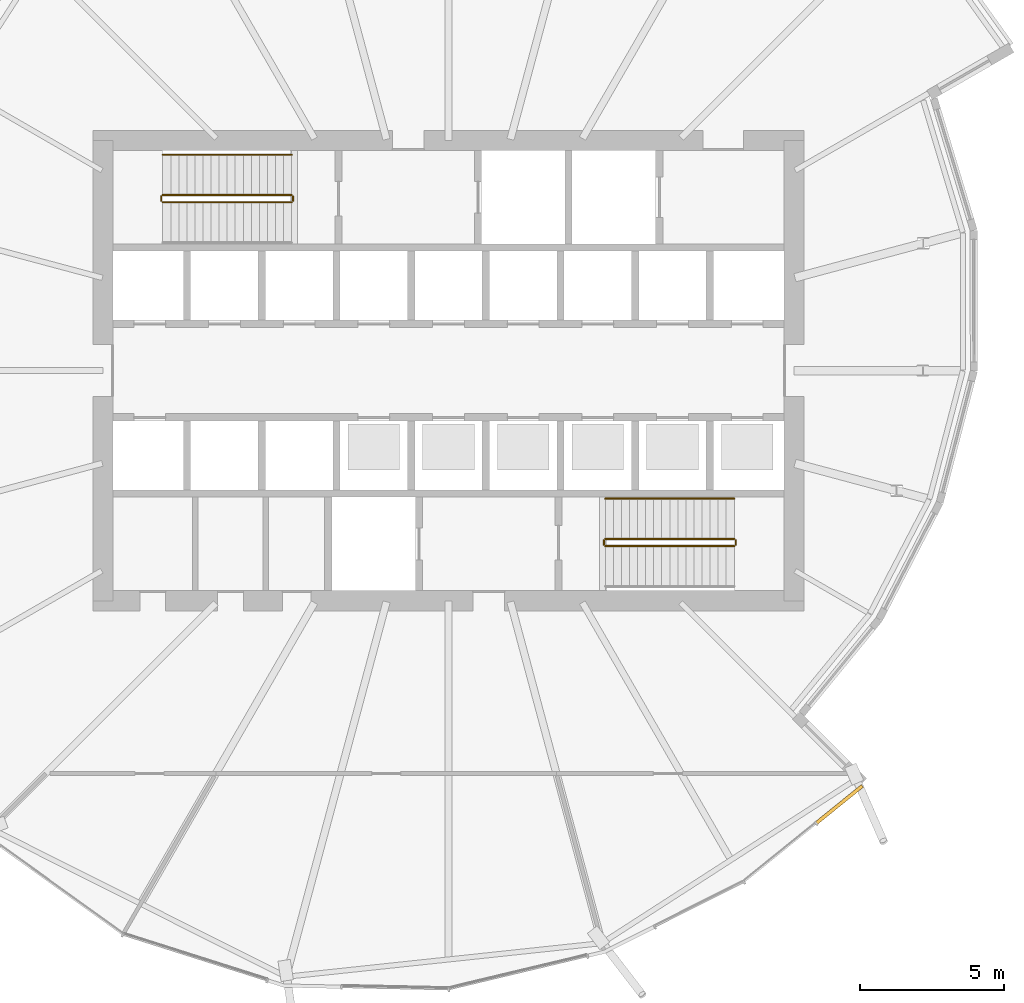
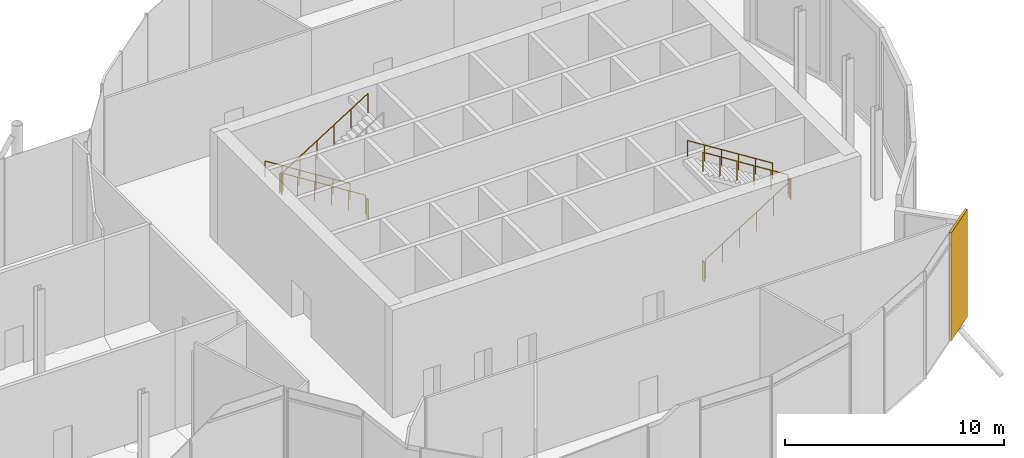
# One storey, part 36 of 38: 10 railings, 1 covering.
"""IFC4 building model written with IfcOpenShell, lengths in metres."""

import ifcopenshell
import ifcopenshell.guid

model = None  # the IFC model being written
_history = None  # IfcOwnerHistory: only IFC2X3 demands one
_inside = {}  # id of a spatial element -> (the spatial element, [elements in it])
_under = {}  # id of a project, library or spatial element -> (it, [spatial elements below it])
_declared = {}  # id of a project -> (the project, [libraries it declares])
_typed = {}  # id of a type object -> (the type object, [elements of that type])
_made_of = {}  # id of a material, layer set ... -> (it, [elements and type objects made of it])


def new_model(schema):
    """Start an empty IFC model of exactly this schema.

    Asked for "IFC4X3", IfcOpenShell would pick the latest addendum, in which some entities
    have other attributes; the version numbers below select the first issue.
    IFC2X3 requires an IfcOwnerHistory on every rooted entity: one is made here for all.
    """
    global model, _history
    if schema == "IFC4X3":
        model = ifcopenshell.file(schema_version=(4, 3, 0, 0))
    else:
        model = ifcopenshell.file(schema=schema)
    _inside.clear()
    _under.clear()
    _declared.clear()
    _typed.clear()
    _made_of.clear()
    _history = None
    if model.schema == "IFC2X3":
        org = make("IfcOrganization", Name="unknown")
        user = make(
            "IfcPersonAndOrganization",
            ThePerson=make("IfcPerson", FamilyName="unknown"),
            TheOrganization=org,
        )
        app = make(
            "IfcApplication",
            ApplicationDeveloper=org,
            Version="unknown",
            ApplicationFullName="unknown",
            ApplicationIdentifier="unknown",
        )
        _history = make(
            "IfcOwnerHistory",
            OwningUser=user,
            OwningApplication=app,
            ChangeAction="ADDED",
            CreationDate=0,
        )
    return model


def make(cls, **values):
    """One entity of the class cls with the attributes given. An attribute that is None is left unset."""
    return model.create_entity(
        cls, **{name: value for name, value in values.items() if value is not None}
    )


def rooted(cls, **values):
    """An entity with a GlobalId (a new one), such as an element, a storey or a relation."""
    return make(cls, GlobalId=ifcopenshell.guid.new(), OwnerHistory=_history, **values)


def si_unit(unit_type, name, prefix=None):
    """IfcSIUnit, for example si_unit("LENGTHUNIT", "METRE", prefix="MILLI")."""
    return make("IfcSIUnit", UnitType=unit_type, Prefix=prefix, Name=name)


def assignment(units):
    """IfcUnitAssignment: the units of a project."""
    return None if units is None else make("IfcUnitAssignment", Units=units)


def point(xyz):
    """IfcCartesianPoint."""
    return None if xyz is None else make("IfcCartesianPoint", Coordinates=xyz)


def direction(xyz):
    """IfcDirection."""
    return None if xyz is None else make("IfcDirection", DirectionRatios=xyz)


def frame(location, z_axis=None, x_axis=None):
    """IfcAxis2Placement3D, a coordinate frame: its origin and axes. An axis left out is left unset."""
    return make(
        "IfcAxis2Placement3D",
        Location=point(location),
        Axis=direction(z_axis),
        RefDirection=direction(x_axis),
    )


def frame_2d(location, x_axis=None):
    """IfcAxis2Placement2D, a coordinate frame in the plane: its origin and x axis."""
    return make(
        "IfcAxis2Placement2D", Location=point(location), RefDirection=direction(x_axis)
    )


def origin():
    """The frame at (0, 0, 0) with its axes left unset."""
    return frame((0.0, 0.0, 0.0))


def origin_2d():
    """The frame at (0, 0) in the plane with its x axis left unset."""
    return frame_2d((0.0, 0.0))


def place(relative_to, where):
    """IfcLocalPlacement: puts the frame where relative to a parent placement (None: the world)."""
    return make(
        "IfcLocalPlacement", PlacementRelTo=relative_to, RelativePlacement=where
    )


def context(
    kind, dimensions, precision=None, world=None, true_north=None, identifier=None
):
    """IfcGeometricRepresentationContext, for example the 3D "Model" context."""
    return make(
        "IfcGeometricRepresentationContext",
        ContextIdentifier=identifier,
        ContextType=kind,
        CoordinateSpaceDimension=dimensions,
        Precision=precision,
        WorldCoordinateSystem=world,
        TrueNorth=true_north,
    )


def subcontext(parent, identifier, kind, view, scale=None):
    """IfcGeometricRepresentationSubContext, for example "Body" below "Model"."""
    return make(
        "IfcGeometricRepresentationSubContext",
        ContextIdentifier=identifier,
        ContextType=kind,
        ParentContext=parent,
        TargetScale=scale,
        TargetView=view,
    )


def project(units=None, contexts=None):
    """IfcProject with its units and contexts."""
    return rooted(
        "IfcProject",
        Name="project",
        RepresentationContexts=contexts,
        UnitsInContext=assignment(units),
    )


def spatial(cls, under=None, at=None, **own):
    """A site, building, storey or space (cls), placed at a placement, below another one or the project."""
    s = rooted(cls, ObjectPlacement=at, **own)
    if under is not None:
        _under.setdefault(under.id(), (under, []))[1].append(s)
    return s


def polyline(points):
    """IfcPolyline through the points."""
    return make("IfcPolyline", Points=[point(p) for p in points])


def profile(cls, at=None, kind="AREA", **sizes):
    """A parametric profile (cls). Its sizes go by their IFC names, for example OverallWidth=200.0."""
    return make(cls, ProfileType=kind, Position=at, **sizes)


def circle(**sizes):
    """IfcCircleProfileDef."""
    return profile("IfcCircleProfileDef", **sizes)


def outline(outer, holes=None, kind="AREA"):
    """IfcArbitraryClosedProfileDef: a profile drawn as a closed curve; with holes, ...WithVoids."""
    if holes is None:
        return make("IfcArbitraryClosedProfileDef", ProfileType=kind, OuterCurve=outer)
    return make(
        "IfcArbitraryProfileDefWithVoids",
        ProfileType=kind,
        OuterCurve=outer,
        InnerCurves=holes,
    )


def extrude(swept, where, along, depth):
    """IfcExtrudedAreaSolid: the profile swept, set in the frame where, extruded along a direction by depth."""
    return make(
        "IfcExtrudedAreaSolid",
        SweptArea=swept,
        Position=where,
        ExtrudedDirection=direction(along),
        Depth=depth,
    )


def shape(context_of_items, identifier, shape_type, items):
    """IfcShapeRepresentation: the items that make up one representation, for example the "Body"."""
    return make(
        "IfcShapeRepresentation",
        ContextOfItems=context_of_items,
        RepresentationIdentifier=identifier,
        RepresentationType=shape_type,
        Items=items,
    )


def material(Name=None, Category=None):
    """IfcMaterial."""
    return make("IfcMaterial", Name=Name, Category=Category)


def layer(
    of_material, thickness, ventilated=None, Name=None, Category=None, Priority=None
):
    """IfcMaterialLayer: one layer of a wall or slab, of a material (None: an air gap)."""
    return make(
        "IfcMaterialLayer",
        Material=of_material,
        LayerThickness=thickness,
        IsVentilated=ventilated,
        Name=Name,
        Category=Category,
        Priority=Priority,
    )


def layer_set(layers, Name=None):
    """IfcMaterialLayerSet."""
    return make("IfcMaterialLayerSet", MaterialLayers=layers, LayerSetName=Name)


def made_of(thing, what):
    """Note that an element or type object is made of a material, layer set ...; save() writes the relation."""
    if what is not None:
        _made_of.setdefault(what.id(), (what, []))[1].append(thing)
    return thing


def type_object(cls, material=None, **own):
    """A type object (cls), such as IfcWallType, which elements share."""
    return made_of(rooted(cls, **own), material)


def element(
    cls,
    number,
    at=None,
    inside=None,
    cuts=None,
    type_object=None,
    material=None,
    context=None,
    identifier="Body",
    shape_type=None,
    held_by="IfcProductDefinitionShape",
    body=None,
    shapes=None,
    **own,
):
    """One element of the class cls, such as IfcWall. Its Tag is "e" and its number.

    at: its placement. inside: the storey or other place that contains it. cuts: it is an
    opening in that element (IfcRelVoidsElement). A single representation is given by context,
    identifier, shape_type and body (its items); several are given by shapes. held_by: the class
    of the entity that holds the representations. save() writes the other relations.
    """
    e = rooted(cls, Tag="e%d" % number, ObjectPlacement=at, **own)
    if body is not None:
        shapes = [shape(context, identifier, shape_type, body)]
    if shapes is not None:
        e.Representation = make(held_by, Representations=shapes)
    if inside is not None:
        _inside.setdefault(inside.id(), (inside, []))[1].append(e)
    if cuts is not None:
        rooted(
            "IfcRelVoidsElement", RelatingBuildingElement=cuts, RelatedOpeningElement=e
        )
    if type_object is not None:
        _typed.setdefault(type_object.id(), (type_object, []))[1].append(e)
    return made_of(e, material)


def aggregate(whole, parts):
    """IfcRelAggregates: a whole, such as a stair, and the parts it consists of."""
    return rooted("IfcRelAggregates", RelatingObject=whole, RelatedObjects=parts)


def save(model, path):
    """Write the relations noted so far, then the file.

    IfcRelAggregates (storeys below a building ...), IfcRelContainedInSpatialStructure (elements
    in a storey), IfcRelDefinesByType, IfcRelAssociatesMaterial and IfcRelDeclares: one each for
    every whole, place, type object, material and project.
    """
    for whole, parts in _under.values():
        aggregate(whole, parts)
    for where, things in _inside.values():
        rooted(
            "IfcRelContainedInSpatialStructure",
            RelatedElements=things,
            RelatingStructure=where,
        )
    for kind, things in _typed.values():
        rooted("IfcRelDefinesByType", RelatedObjects=things, RelatingType=kind)
    for what, things in _made_of.values():
        rooted("IfcRelAssociatesMaterial", RelatedObjects=things, RelatingMaterial=what)
    for by, libraries in _declared.values():
        rooted("IfcRelDeclares", RelatingContext=by, RelatedDefinitions=libraries)
    model.write(path)


model = new_model("IFC4")

# Units and contexts
model_context = context("Model", 3, precision=1e-05, world=origin(), true_north=direction((0.0, 1.0)))
body_context = subcontext(model_context, "Body", "Model", "MODEL_VIEW")
ifc_project = project(units=[si_unit("LENGTHUNIT", "METRE"), si_unit("AREAUNIT", "SQUARE_METRE"), si_unit("VOLUMEUNIT", "CUBIC_METRE"), si_unit("PLANEANGLEUNIT", "RADIAN"), si_unit("MASSUNIT", "GRAM", prefix="KILO")], contexts=[model_context])

# Site, building, storey
site_placement = place(None, origin())
site = spatial("IfcSite", under=ifc_project, at=site_placement, CompositionType="ELEMENT")
building_placement = place(site_placement, origin())
building = spatial("IfcBuilding", under=site, at=building_placement, Name="Rimbun Link Towers", CompositionType="ELEMENT")
storey_placement = place(building_placement, frame((0.0, 0.0, 133.199951171875)))
storey = spatial("IfcBuildingStorey", under=building, at=storey_placement, Name="L32", CompositionType="ELEMENT", Elevation=133.199951171875)

# Covering
ifc_material_1 = material(Name="Terracotta", Category="masonry")
ifc_layer = layer(ifc_material_1, 0.1201171875)
ifc_layer_set = layer_set([ifc_layer], Name="LINK PIER terracotta cladding 120")
covering_type = type_object("IfcCoveringType", Name="LINK PIER terracotta cladding 120", PredefinedType="CLADDING", material=ifc_layer_set)
covering_placement = place(storey_placement, origin())
element("IfcCovering", 1, at=covering_placement, inside=storey, type_object=covering_type, Name="LINK PIER cladding", PredefinedType="CLADDING", context=body_context, shape_type="SweptSolid", body=[
    extrude(outline(polyline([(46.092041015625, -14.38427734375), (44.50634765625, -15.667724609375), (44.581787109375, -15.760986328125), (46.16748046875, -14.4775390625), (46.092041015625, -14.38427734375)])), origin(), (0.0, 0.0, 1.0), 6.0),
])

# Railings
ifc_material_2 = material(Name="Stainless steel grade 316", Category="steel")
railing_type_1 = type_object("IfcRailingType", Name="Stair guard", PredefinedType="GUARDRAIL", material=ifc_material_2)
railing_1_placement = place(storey_placement, frame((26.300048828125, 6.10009765625, 0.176513671875)))
element("IfcRailing", 2, at=railing_1_placement, inside=storey, type_object=railing_type_1, Name="L32 ST3 stair guard 1", PredefinedType="GUARDRAIL", context=body_context, shape_type="SweptSolid", body=[
    extrude(circle(Radius=0.02392578125, at=origin_2d()), frame((0.0, 0.0, 1.076171875), z_axis=(-0.845997938375, 0.0, 0.533186166611), x_axis=(0.0, -1.0, 0.0)), (0.0, 0.0, 1.0), 5.29541015625),
    extrude(circle(Radius=0.02099609375, at=origin_2d()), origin(), (0.0, 0.0, 1.0), 1.052001953125),
    extrude(circle(Radius=0.02099609375, at=origin_2d()), frame((-0.89599609375, 0.0, 0.564697265625)), (0.0, 0.0, 1.0), 1.052001953125),
    extrude(circle(Radius=0.02099609375, at=origin_2d()), frame((-1.7919921875, 0.0, 1.12939453125)), (0.0, 0.0, 1.0), 1.052001953125),
    extrude(circle(Radius=0.02099609375, at=origin_2d()), frame((-2.68798828125, 0.0, 1.694091796875)), (0.0, 0.0, 1.0), 1.052001953125),
    extrude(circle(Radius=0.02099609375, at=origin_2d()), frame((-3.583984375, 0.0, 2.2587890625)), (0.0, 0.0, 1.0), 1.052001953125),
    extrude(circle(Radius=0.02099609375, at=origin_2d()), frame((-4.47998046875, 0.0, 2.823486328125)), (0.0, 0.0, 1.0), 1.052001953125),
])
railing_2_placement = place(storey_placement, frame((21.77001953125, 6.050048828125, 3.0)))
element("IfcRailing", 3, at=railing_2_placement, inside=storey, type_object=railing_type_1, Name="L32 ST3 stair guard 2", PredefinedType="GUARDRAIL", context=body_context, shape_type="SweptSolid", body=[
    extrude(circle(Radius=0.02392578125, at=origin_2d()), frame((0.0, 0.0, 1.076171875), z_axis=(0.0, -1.0, 0.0), x_axis=(1.0, 0.0, 0.0)), (0.0, 0.0, 1.0), 0.150146484375),
    extrude(circle(Radius=0.02099609375, at=origin_2d()), origin(), (0.0, 0.0, 1.0), 1.052001953125),
    extrude(circle(Radius=0.02099609375, at=origin_2d()), frame((0.0, -0.150146484375, 0.0)), (0.0, 0.0, 1.0), 1.052001953125),
])
railing_3_placement = place(storey_placement, frame((21.820068359375, 5.85009765625, 3.176513671875)))
element("IfcRailing", 4, at=railing_3_placement, inside=storey, type_object=railing_type_1, Name="L32 ST3 stair guard 3", PredefinedType="GUARDRAIL", context=body_context, shape_type="SweptSolid", body=[
    extrude(circle(Radius=0.02392578125, at=origin_2d()), frame((0.0, 0.0, 1.076171875), z_axis=(0.845997938375, 0.0, 0.533186166611), x_axis=(0.0, 1.0, 0.0)), (0.0, 0.0, 1.0), 5.29541015625),
    extrude(circle(Radius=0.02099609375, at=origin_2d()), origin(), (0.0, 0.0, 1.0), 1.052001953125),
    extrude(circle(Radius=0.02099609375, at=origin_2d()), frame((0.89599609375, 0.0, 0.564697265625)), (0.0, 0.0, 1.0), 1.052001953125),
    extrude(circle(Radius=0.02099609375, at=origin_2d()), frame((1.7919921875, 0.0, 1.12939453125)), (0.0, 0.0, 1.0), 1.052001953125),
    extrude(circle(Radius=0.02099609375, at=origin_2d()), frame((2.68798828125, 0.0, 1.694091796875)), (0.0, 0.0, 1.0), 1.052001953125),
    extrude(circle(Radius=0.02099609375, at=origin_2d()), frame((3.583984375, 0.0, 2.2587890625)), (0.0, 0.0, 1.0), 1.052001953125),
    extrude(circle(Radius=0.02099609375, at=origin_2d()), frame((4.47998046875, 0.0, 2.823486328125)), (0.0, 0.0, 1.0), 1.052001953125),
])
railing_4_placement = place(storey_placement, frame((26.35009765625, 6.050048828125, 0.0)))
element("IfcRailing", 5, at=railing_4_placement, inside=storey, type_object=railing_type_1, Name="L32 ST3 stair guard 4", PredefinedType="GUARDRAIL", context=body_context, shape_type="SweptSolid", body=[
    extrude(circle(Radius=0.02392578125, at=origin_2d()), frame((0.0, 0.0, 1.076171875), z_axis=(0.0, -1.0, 0.0), x_axis=(1.0, 0.0, 0.0)), (0.0, 0.0, 1.0), 0.150146484375),
    extrude(circle(Radius=0.02099609375, at=origin_2d()), origin(), (0.0, 0.0, 1.0), 1.052001953125),
    extrude(circle(Radius=0.02099609375, at=origin_2d()), frame((0.0, -0.150146484375, 0.0)), (0.0, 0.0, 1.0), 1.052001953125),
])
railing_5_placement = place(storey_placement, frame((37.199951171875, -6.10009765625, 0.176513671875)))
element("IfcRailing", 6, at=railing_5_placement, inside=storey, type_object=railing_type_1, Name="L32 ST4 stair guard 1", PredefinedType="GUARDRAIL", context=body_context, shape_type="SweptSolid", body=[
    extrude(circle(Radius=0.02392578125, at=origin_2d()), frame((0.0, 0.0, 1.076171875), z_axis=(0.845997938375, 0.0, 0.533186166611), x_axis=(0.0, 1.0, 0.0)), (0.0, 0.0, 1.0), 5.29541015625),
    extrude(circle(Radius=0.02099609375, at=origin_2d()), origin(), (0.0, 0.0, 1.0), 1.052001953125),
    extrude(circle(Radius=0.02099609375, at=origin_2d()), frame((0.89599609375, 0.0, 0.564697265625)), (0.0, 0.0, 1.0), 1.052001953125),
    extrude(circle(Radius=0.02099609375, at=origin_2d()), frame((1.7919921875, 0.0, 1.12939453125)), (0.0, 0.0, 1.0), 1.052001953125),
    extrude(circle(Radius=0.02099609375, at=origin_2d()), frame((2.68798828125, 0.0, 1.694091796875)), (0.0, 0.0, 1.0), 1.052001953125),
    extrude(circle(Radius=0.02099609375, at=origin_2d()), frame((3.583984375, 0.0, 2.2587890625)), (0.0, 0.0, 1.0), 1.052001953125),
    extrude(circle(Radius=0.02099609375, at=origin_2d()), frame((4.47998046875, 0.0, 2.823486328125)), (0.0, 0.0, 1.0), 1.052001953125),
])
railing_6_placement = place(storey_placement, frame((41.72998046875, -6.050048828125, 3.0)))
element("IfcRailing", 7, at=railing_6_placement, inside=storey, type_object=railing_type_1, Name="L32 ST4 stair guard 2", PredefinedType="GUARDRAIL", context=body_context, shape_type="SweptSolid", body=[
    extrude(circle(Radius=0.02392578125, at=origin_2d()), frame((0.0, 0.0, 1.076171875), z_axis=(0.0, 1.0, 0.0), x_axis=(-1.0, 0.0, 0.0)), (0.0, 0.0, 1.0), 0.150146484375),
    extrude(circle(Radius=0.02099609375, at=origin_2d()), origin(), (0.0, 0.0, 1.0), 1.052001953125),
    extrude(circle(Radius=0.02099609375, at=origin_2d()), frame((0.0, 0.150146484375, 0.0)), (0.0, 0.0, 1.0), 1.052001953125),
])
railing_7_placement = place(storey_placement, frame((41.679931640625, -5.85009765625, 3.176513671875)))
element("IfcRailing", 8, at=railing_7_placement, inside=storey, type_object=railing_type_1, Name="L32 ST4 stair guard 3", PredefinedType="GUARDRAIL", context=body_context, shape_type="SweptSolid", body=[
    extrude(circle(Radius=0.02392578125, at=origin_2d()), frame((0.0, 0.0, 1.076171875), z_axis=(-0.845997938375, 0.0, 0.533186166611), x_axis=(0.0, -1.0, 0.0)), (0.0, 0.0, 1.0), 5.29541015625),
    extrude(circle(Radius=0.02099609375, at=origin_2d()), origin(), (0.0, 0.0, 1.0), 1.052001953125),
    extrude(circle(Radius=0.02099609375, at=origin_2d()), frame((-0.89599609375, 0.0, 0.564697265625)), (0.0, 0.0, 1.0), 1.052001953125),
    extrude(circle(Radius=0.02099609375, at=origin_2d()), frame((-1.7919921875, 0.0, 1.12939453125)), (0.0, 0.0, 1.0), 1.052001953125),
    extrude(circle(Radius=0.02099609375, at=origin_2d()), frame((-2.68798828125, 0.0, 1.694091796875)), (0.0, 0.0, 1.0), 1.052001953125),
    extrude(circle(Radius=0.02099609375, at=origin_2d()), frame((-3.583984375, 0.0, 2.2587890625)), (0.0, 0.0, 1.0), 1.052001953125),
    extrude(circle(Radius=0.02099609375, at=origin_2d()), frame((-4.47998046875, 0.0, 2.823486328125)), (0.0, 0.0, 1.0), 1.052001953125),
])
railing_8_placement = place(storey_placement, frame((37.14990234375, -6.050048828125, 0.0)))
element("IfcRailing", 9, at=railing_8_placement, inside=storey, type_object=railing_type_1, Name="L32 ST4 stair guard 4", PredefinedType="GUARDRAIL", context=body_context, shape_type="SweptSolid", body=[
    extrude(circle(Radius=0.02392578125, at=origin_2d()), frame((0.0, 0.0, 1.076171875), z_axis=(0.0, 1.0, 0.0), x_axis=(-1.0, 0.0, 0.0)), (0.0, 0.0, 1.0), 0.150146484375),
    extrude(circle(Radius=0.02099609375, at=origin_2d()), origin(), (0.0, 0.0, 1.0), 1.052001953125),
    extrude(circle(Radius=0.02099609375, at=origin_2d()), frame((0.0, 0.150146484375, 0.0)), (0.0, 0.0, 1.0), 1.052001953125),
])
ifc_material_3 = material(Name="Stainless steel grade 316", Category="steel")
railing_type_2 = type_object("IfcRailingType", Name="Stair handrail", PredefinedType="HANDRAIL", material=ifc_material_3)
for number, where, name in (
    (10, (26.300048828125, 7.5, 0.176513671875), "L32 ST3 stair handrail 1"),
    (11, (41.679931640625, -4.449951171875, 3.176513671875), "L32 ST4 stair handrail 2"),
):
    element("IfcRailing", number, at=place(storey_placement, frame(where)), inside=storey, type_object=railing_type_2, Name=name, PredefinedType="HANDRAIL", context=body_context, shape_type="SweptSolid", body=[
        extrude(circle(Radius=0.02392578125, at=origin_2d()), frame((0.0, 0.0, 0.8759765625), z_axis=(-0.845997938375, 0.0, 0.533186166611), x_axis=(0.0, -1.0, 0.0)), (0.0, 0.0, 1.0), 5.29541015625),
        extrude(circle(Radius=0.02099609375, at=origin_2d()), origin(), (0.0, 0.0, 1.0), 0.851806640625),
        extrude(circle(Radius=0.02099609375, at=origin_2d()), frame((-0.89599609375, 0.0, 0.564697265625)), (0.0, 0.0, 1.0), 0.851806640625),
        extrude(circle(Radius=0.02099609375, at=origin_2d()), frame((-1.7919921875, 0.0, 1.12939453125)), (0.0, 0.0, 1.0), 0.851806640625),
        extrude(circle(Radius=0.02099609375, at=origin_2d()), frame((-2.68798828125, 0.0, 1.694091796875)), (0.0, 0.0, 1.0), 0.851806640625),
        extrude(circle(Radius=0.02099609375, at=origin_2d()), frame((-3.583984375, 0.0, 2.2587890625)), (0.0, 0.0, 1.0), 0.851806640625),
        extrude(circle(Radius=0.02099609375, at=origin_2d()), frame((-4.47998046875, 0.0, 2.823486328125)), (0.0, 0.0, 1.0), 0.851806640625),
    ])

save(model, "model.ifc")
